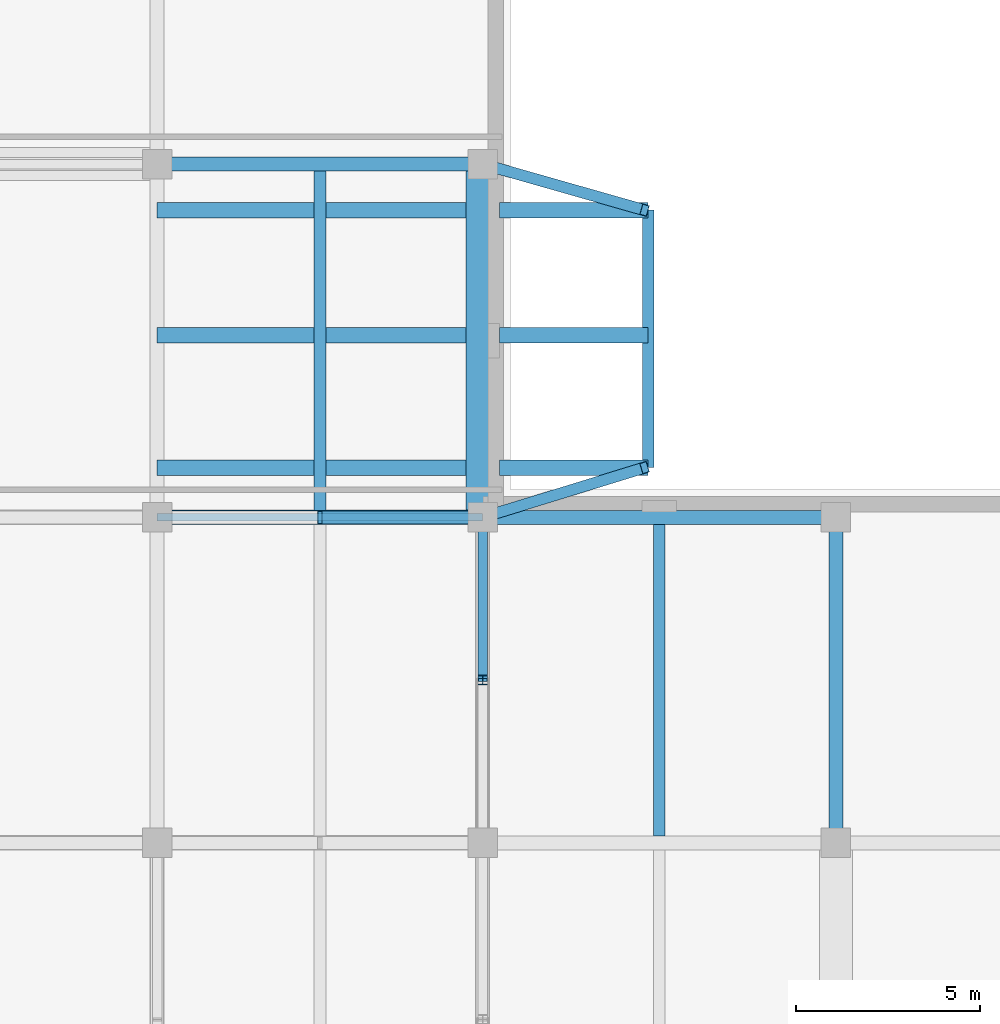
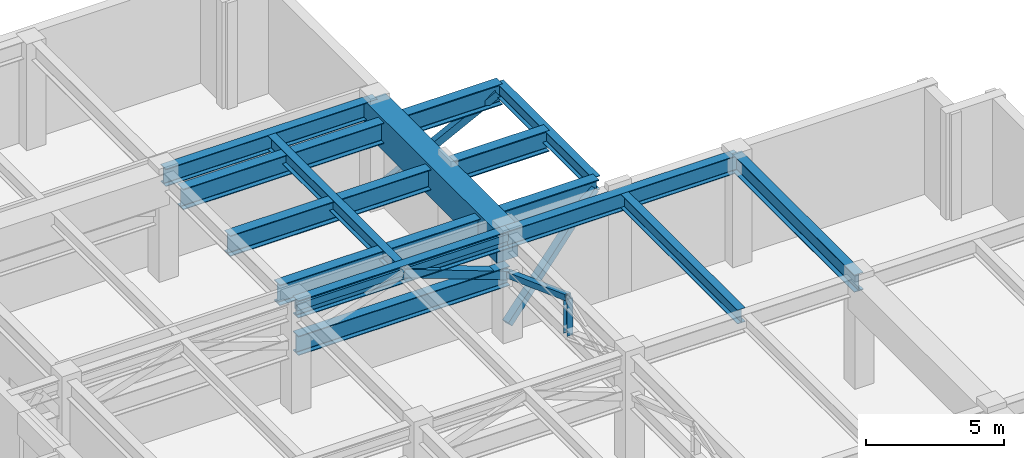
# One storey, part 7 of 19: 15 beams, 6 members.
"""IFC4 building model written with IfcOpenShell, lengths in metres."""

from ifc_helpers import new_model, si_unit, direction, frame, origin, origin_2d, place, context, subcontext, project, spatial, rectangle, hollow_rectangle, i_section, extrude, material, material_profile, profile_set, type_object, element, save


model = new_model("IFC4")

# Units and contexts
model_context = context("Model", 3, precision=1e-05, world=origin(), true_north=direction((0.0, 1.0)))
body_context = subcontext(model_context, "Body", "Model", "MODEL_VIEW")
ifc_project = project(units=[si_unit("LENGTHUNIT", "METRE"), si_unit("AREAUNIT", "SQUARE_METRE"), si_unit("VOLUMEUNIT", "CUBIC_METRE"), si_unit("PLANEANGLEUNIT", "RADIAN"), si_unit("MASSUNIT", "GRAM", prefix="KILO")], contexts=[model_context])

# Site, building, storey
site_placement = place(None, origin())
site = spatial("IfcSite", under=ifc_project, at=site_placement, CompositionType="ELEMENT")
building_placement = place(site_placement, origin())
building = spatial("IfcBuilding", under=site, at=building_placement, Name="Norrvale University Quadrangle", CompositionType="ELEMENT")
storey_placement = place(building_placement, frame((0.0, 0.0, 256.0)))
storey = spatial("IfcBuildingStorey", under=building, at=storey_placement, Name="L65", CompositionType="ELEMENT", Elevation=256.0)

# Beams
ifc_material_1 = material(Name="Steel 350W", Category="steel")
ifc_material_profile_1 = material_profile(ifc_material_1, i_section(OverallWidth=0.324951171875, OverallDepth=0.615966796875, WebThickness=0.013916015625, FlangeThickness=0.021484375, FilletRadius=0.01611328125, at=origin_2d()), Name="Steel 350W")
ifc_profile_set_1 = profile_set([ifc_material_profile_1], Name="Steel 350W")
beam_type_1 = type_object("IfcBeamType", Name="Beam Belt W610x174", PredefinedType="BEAM", material=ifc_profile_set_1)
beam_1_placement = place(storey_placement, frame((33.22509765625, 37.840576171875, 4.431884765625), z_axis=(0.0, 1.0, 0.0), x_axis=(-1.0, 0.0, 0.0)))
element("IfcBeam", 1, at=beam_1_placement, inside=storey, type_object=beam_type_1, Name="Beam Belt W610x174 BM-L65-J066", PredefinedType="BEAM", context=body_context, shape_type="SweptSolid", body=[
    extrude(i_section(OverallWidth=0.324951171875, OverallDepth=0.615966796875, WebThickness=0.013916015625, FlangeThickness=0.021484375, FilletRadius=0.01611328125, at=origin_2d()), origin(), (0.0, 0.0, 1.0), 9.218994140625),
])
beam_2_placement = place(storey_placement, frame((42.449951171875, 28.990478515625, 4.431884765625), z_axis=(0.0, 1.0, 0.0), x_axis=(-1.0, 0.0, 0.0)))
element("IfcBeam", 2, at=beam_2_placement, inside=storey, type_object=beam_type_1, Name="Beam Belt W610x174 BM-L65-J070", PredefinedType="BEAM", context=body_context, shape_type="SweptSolid", body=[
    extrude(i_section(OverallWidth=0.324951171875, OverallDepth=0.615966796875, WebThickness=0.013916015625, FlangeThickness=0.021484375, FilletRadius=0.01611328125, at=origin_2d()), origin(), (0.0, 0.0, 1.0), 8.468994140625),
])
beam_3_placement = place(storey_placement, frame((42.14990234375, 39.0, 4.31201171875), z_axis=(0.0, 1.0, 0.0), x_axis=(-1.0, 0.0, 0.0)))
element("IfcBeam", 3, at=beam_3_placement, inside=storey, type_object=beam_type_1, Name="Sky Pool Tip Header Girder", PredefinedType="BEAM", context=body_context, shape_type="SweptSolid", body=[
    extrude(i_section(OverallWidth=0.324951171875, OverallDepth=0.615966796875, WebThickness=0.013916015625, FlangeThickness=0.021484375, FilletRadius=0.01611328125, at=origin_2d()), origin(), (0.0, 0.0, 1.0), 7.0),
])
ifc_material_profile_2 = material_profile(ifc_material_1, i_section(OverallWidth=0.381103515625, OverallDepth=0.77294921875, WebThickness=0.0166015625, FlangeThickness=0.027587890625, FilletRadius=0.02001953125, at=origin_2d()), Name="Steel 350W")
ifc_profile_set_2 = profile_set([ifc_material_profile_2], Name="Steel 350W")
beam_type_2 = type_object("IfcBeamType", Name="Beam Outrig W760x257", PredefinedType="BEAM", material=ifc_profile_set_2)
beam_4_placement = place(storey_placement, frame((28.800048828125, 37.64990234375, 4.353515625), z_axis=(1.0, 0.0, 0.0), x_axis=(0.0, 1.0, 0.0)))
element("IfcBeam", 4, at=beam_4_placement, inside=storey, type_object=beam_type_2, Name="Beam Outrig W760x257 BM-L65-GX018", PredefinedType="BEAM", context=body_context, shape_type="SweptSolid", body=[
    extrude(i_section(OverallWidth=0.381103515625, OverallDepth=0.77294921875, WebThickness=0.0166015625, FlangeThickness=0.027587890625, FilletRadius=0.02001953125, at=origin_2d()), origin(), (0.0, 0.0, 1.0), 8.849853515625),
])
beam_5_placement = place(storey_placement, frame((37.64990234375, 37.64990234375, 4.353515625), z_axis=(1.0, 0.0, 0.0), x_axis=(0.0, 1.0, 0.0)))
element("IfcBeam", 5, at=beam_5_placement, inside=storey, type_object=beam_type_2, Name="Beam Outrig W760x257 BM-L65-GX019", PredefinedType="BEAM", context=body_context, shape_type="SweptSolid", body=[
    extrude(i_section(OverallWidth=0.381103515625, OverallDepth=0.77294921875, WebThickness=0.0166015625, FlangeThickness=0.027587890625, FilletRadius=0.02001953125, at=origin_2d()), origin(), (0.0, 0.0, 1.0), 9.60009765625),
])
for number, where, z_axis, x_axis, name in (
    (6, (28.800048828125, 47.25, 4.353515625), (1.0, 0.0, 0.0), (0.0, 1.0, 0.0), "Beam Outrig W760x257 BM-L65-GX020"),
    (7, (47.25, 28.800048828125, 4.353515625), (0.0, 1.0, 0.0), (-1.0, 0.0, 0.0), "Beam Outrig W760x257 BM-L65-GY044"),
):
    element("IfcBeam", number, at=place(storey_placement, frame(where, z_axis=z_axis, x_axis=x_axis)), inside=storey, type_object=beam_type_2, Name=name, PredefinedType="BEAM", context=body_context, shape_type="SweptSolid", body=[
        extrude(i_section(OverallWidth=0.381103515625, OverallDepth=0.77294921875, WebThickness=0.0166015625, FlangeThickness=0.027587890625, FilletRadius=0.02001953125, at=origin_2d()), origin(), (0.0, 0.0, 1.0), 8.849853515625),
    ])
ifc_material_profile_3 = material_profile(ifc_material_1, i_section(OverallWidth=0.39990234375, OverallDepth=0.85498046875, WebThickness=0.018310546875, FlangeThickness=0.029296875, FilletRadius=0.02197265625, at=origin_2d()), Name="Steel 350W")
ifc_profile_set_3 = profile_set([ifc_material_profile_3], Name="Steel 350W")
beam_type_3 = type_object("IfcBeamType", Name="Beam Outrig W840x299", PredefinedType="BEAM", material=ifc_profile_set_3)
beam_6_placement = place(storey_placement, frame((28.800048828125, 37.64990234375, 2.75), z_axis=(1.0, 0.0, 0.0), x_axis=(0.0, 1.0, 0.0)))
element("IfcBeam", 8, at=beam_6_placement, inside=storey, type_object=beam_type_3, Name="Outrigger Bottom Chord L65-4.3", PredefinedType="BEAM", context=body_context, shape_type="SweptSolid", body=[
    extrude(i_section(OverallWidth=0.39990234375, OverallDepth=0.85498046875, WebThickness=0.018310546875, FlangeThickness=0.029296875, FilletRadius=0.02197265625, at=origin_2d()), origin(), (0.0, 0.0, 1.0), 8.849853515625),
])
ifc_material_profile_4 = material_profile(ifc_material_1, i_section(OverallWidth=0.41796875, OverallDepth=0.912109375, WebThickness=0.019287109375, FlangeThickness=0.031982421875, FilletRadius=0.02392578125, at=origin_2d()), Name="Steel 350W")
ifc_profile_set_4 = profile_set([ifc_material_profile_4], Name="Steel 350W")
beam_type_4 = type_object("IfcBeamType", Name="Beam Pool Back W920x342", PredefinedType="BEAM", material=ifc_profile_set_4)
for number, where, z_axis, x_axis, name in (
    (9, (28.800048828125, 39.0, 4.1640625), (1.0, 0.0, 0.0), (0.0, 1.0, 0.0), "Sky Pool Inline Back-Span Girder 1"),
    (10, (28.800048828125, 42.60009765625, 4.1640625), (1.0, 0.0, 0.0), (0.0, 1.0, 0.0), "Sky Pool Inline Back-Span Girder 2"),
    (11, (28.800048828125, 46.0, 4.1640625), (1.0, 0.0, 0.0), (0.0, 1.0, 0.0), "Sky Pool Inline Back-Span Girder 3"),
):
    element("IfcBeam", number, at=place(storey_placement, frame(where, z_axis=z_axis, x_axis=x_axis)), inside=storey, type_object=beam_type_4, Name=name, PredefinedType="BEAM", context=body_context, shape_type="SweptSolid", body=[
        extrude(i_section(OverallWidth=0.41796875, OverallDepth=0.912109375, WebThickness=0.019287109375, FlangeThickness=0.031982421875, FilletRadius=0.02392578125, at=origin_2d()), origin(), (0.0, 0.0, 1.0), 8.39990234375),
    ])
ifc_material_profile_5 = material_profile(ifc_material_1, i_section(OverallWidth=0.423095703125, OverallDepth=0.93310546875, WebThickness=0.02392578125, FlangeThickness=0.042724609375, FilletRadius=0.02392578125, at=origin_2d()), Name="Steel 350W")
ifc_profile_set_5 = profile_set([ifc_material_profile_5], Name="Steel 350W")
beam_type_5 = type_object("IfcBeamType", Name="Beam Pool Cant W920x446", PredefinedType="BEAM", material=ifc_profile_set_5)
for number, where, z_axis, x_axis, name in (
    (12, (38.10009765625, 39.0, 4.153564453125), (1.0, 0.0, 0.0), (0.0, 1.0, 0.0), "Sky Pool Cantilever Girder 1"),
    (13, (38.10009765625, 42.60009765625, 4.153564453125), (1.0, 0.0, 0.0), (0.0, 1.0, 0.0), "Sky Pool Cantilever Girder 2"),
    (14, (38.10009765625, 46.0, 4.153564453125), (1.0, 0.0, 0.0), (0.0, 1.0, 0.0), "Sky Pool Cantilever Girder 3"),
):
    element("IfcBeam", number, at=place(storey_placement, frame(where, z_axis=z_axis, x_axis=x_axis)), inside=storey, type_object=beam_type_5, Name=name, PredefinedType="BEAM", context=body_context, shape_type="SweptSolid", body=[
        extrude(i_section(OverallWidth=0.423095703125, OverallDepth=0.93310546875, WebThickness=0.02392578125, FlangeThickness=0.042724609375, FilletRadius=0.02392578125, at=origin_2d()), origin(), (0.0, 0.0, 1.0), 4.0498046875),
    ])
ifc_material_2 = material(Name="Concrete C60/75", Category="concrete")
ifc_material_profile_6 = material_profile(ifc_material_2, rectangle(XDim=0.89990234375, YDim=1.39990234375, at=origin_2d()), Name="Concrete C60/75")
ifc_profile_set_6 = profile_set([ifc_material_profile_6], Name="Concrete C60/75")
beam_type_6 = type_object("IfcBeamType", Name="Beam Transfer 900x1400", PredefinedType="USERDEFINED", material=ifc_profile_set_6)
beam_7_placement = place(storey_placement, frame((37.64990234375, 37.64990234375, 4.0400390625), z_axis=(0.0, 1.0, 0.0), x_axis=(-1.0, 0.0, 0.0)))
element("IfcBeam", 15, at=beam_7_placement, inside=storey, type_object=beam_type_6, Name="Setback Transfer Girder L65-31", ObjectType="TRANSFER GIRDER", PredefinedType="USERDEFINED", context=body_context, shape_type="SweptSolid", body=[
    extrude(rectangle(XDim=0.89990234375, YDim=1.39990234375, at=origin_2d()), origin(), (0.0, 0.0, 1.0), 9.60009765625),
])

# Members
ifc_material_profile_7 = material_profile(ifc_material_1, hollow_rectangle(XDim=0.25390625, YDim=0.25390625, WallThickness=0.012939453125, at=origin_2d()), Name="Steel 350W")
ifc_profile_set_7 = profile_set([ifc_material_profile_7], Name="Steel 350W")
member_type_1 = type_object("IfcMemberType", Name="Member Belt Diag HSS254", PredefinedType="BRACE", material=ifc_profile_set_7)
member_1_placement = place(storey_placement, frame((37.64990234375, 37.64990234375, 2.75), z_axis=(0.0, -0.937674473211, 0.347514866285), x_axis=(1.0, 0.0, 0.0)))
element("IfcMember", 16, at=member_1_placement, inside=storey, type_object=member_type_1, Name="Belt Truss Brace L65-03B", PredefinedType="BRACE", context=body_context, shape_type="SweptSolid", body=[
    extrude(hollow_rectangle(XDim=0.25390625, YDim=0.25390625, WallThickness=0.012939453125, at=origin_2d()), origin(), (0.0, 0.0, 1.0), 4.718994140625),
])
ifc_material_profile_8 = material_profile(ifc_material_1, hollow_rectangle(XDim=0.304931640625, YDim=0.304931640625, WallThickness=0.012939453125, at=origin_2d()), Name="Steel 350W")
ifc_profile_set_8 = profile_set([ifc_material_profile_8], Name="Steel 350W")
member_type_2 = type_object("IfcMemberType", Name="Member Belt Diag HSS305", PredefinedType="BRACE", material=ifc_profile_set_8)
member_2_placement = place(storey_placement, frame((37.64990234375, 37.64990234375, 0.550048828125), z_axis=(0.752242404169, 0.230810658328, 0.617136780116), x_axis=(-0.29333282079, 0.95601038501, 0.0)))
element("IfcMember", 17, at=member_2_placement, inside=storey, type_object=member_type_2, Name="Sky Pool Raking Support Strut 1", PredefinedType="BRACE", context=body_context, shape_type="SweptSolid", body=[
    extrude(hollow_rectangle(XDim=0.304931640625, YDim=0.304931640625, WallThickness=0.012939453125, at=origin_2d()), origin(), (0.0, 0.0, 1.0), 5.849365234375),
])
member_3_placement = place(storey_placement, frame((37.64990234375, 47.25, 0.550048828125), z_axis=(0.755119862677, -0.21451554663, 0.619497436028), x_axis=(0.273268671964, 0.961937748985, 0.0)))
element("IfcMember", 18, at=member_3_placement, inside=storey, type_object=member_type_2, Name="Sky Pool Raking Support Strut 2", PredefinedType="BRACE", context=body_context, shape_type="SweptSolid", body=[
    extrude(hollow_rectangle(XDim=0.304931640625, YDim=0.304931640625, WallThickness=0.012939453125, at=origin_2d()), origin(), (0.0, 0.0, 1.0), 5.8271484375),
])
ifc_material_profile_9 = material_profile(ifc_material_1, hollow_rectangle(XDim=0.202880859375, YDim=0.304931640625, WallThickness=0.012939453125, at=origin_2d()), Name="Steel 350W")
ifc_profile_set_9 = profile_set([ifc_material_profile_9], Name="Steel 350W")
member_type_3 = type_object("IfcMemberType", Name="Member Chord HSS305x203", PredefinedType="CHORD", material=ifc_profile_set_9)
member_4_placement = place(storey_placement, frame((28.800048828125, 37.64990234375, 4.389892578125), z_axis=(1.0, 0.0, 0.0), x_axis=(0.0, 1.0, 0.0)))
element("IfcMember", 19, at=member_4_placement, inside=storey, type_object=member_type_3, Name="Outrigger Top Chord L65-4.3", PredefinedType="CHORD", context=body_context, shape_type="SweptSolid", body=[
    extrude(hollow_rectangle(XDim=0.202880859375, YDim=0.304931640625, WallThickness=0.012939453125, at=origin_2d()), origin(), (0.0, 0.0, 1.0), 8.849853515625),
])
ifc_material_profile_10 = material_profile(ifc_material_1, hollow_rectangle(XDim=0.35595703125, YDim=0.35595703125, WallThickness=0.01611328125, at=origin_2d()), Name="Steel 350W")
ifc_profile_set_10 = profile_set([ifc_material_profile_10], Name="Steel 350W")
member_type_4 = type_object("IfcMemberType", Name="Member Outrig Diag HSS356", PredefinedType="BRACE", material=ifc_profile_set_10)
member_5_placement = place(storey_placement, frame((37.64990234375, 37.64990234375, 2.75), z_axis=(-0.937674473211, 0.0, 0.347514866285), x_axis=(0.0, -1.0, 0.0)))
element("IfcMember", 20, at=member_5_placement, inside=storey, type_object=member_type_4, Name="Outrigger Truss Diagonal L65-4.3B", PredefinedType="BRACE", context=body_context, shape_type="SweptSolid", body=[
    extrude(hollow_rectangle(XDim=0.35595703125, YDim=0.35595703125, WallThickness=0.01611328125, at=origin_2d()), origin(), (0.0, 0.0, 1.0), 4.718994140625),
])
ifc_material_profile_11 = material_profile(ifc_material_1, i_section(OverallWidth=0.25390625, OverallDepth=0.2529296875, WebThickness=0.008544921875, FlangeThickness=0.01416015625, FilletRadius=0.011962890625, at=origin_2d()), Name="Steel 350W")
ifc_profile_set_11 = profile_set([ifc_material_profile_11], Name="Steel 350W")
member_type_5 = type_object("IfcMemberType", Name="Member Post W250x73", PredefinedType="POST", material=ifc_profile_set_11)
member_6_placement = place(storey_placement, frame((37.64990234375, 33.22509765625, 2.75), z_axis=(0.0, 0.0, 1.0), x_axis=(1.0, 0.0, 0.0)))
element("IfcMember", 21, at=member_6_placement, inside=storey, type_object=member_type_5, Name="Belt Truss Post L65-03", PredefinedType="POST", context=body_context, shape_type="SweptSolid", body=[
    extrude(i_section(OverallWidth=0.25390625, OverallDepth=0.2529296875, WebThickness=0.008544921875, FlangeThickness=0.01416015625, FilletRadius=0.011962890625, at=origin_2d()), origin(), (0.0, 0.0, 1.0), 1.639892578125),
])

save(model, "model.ifc")
